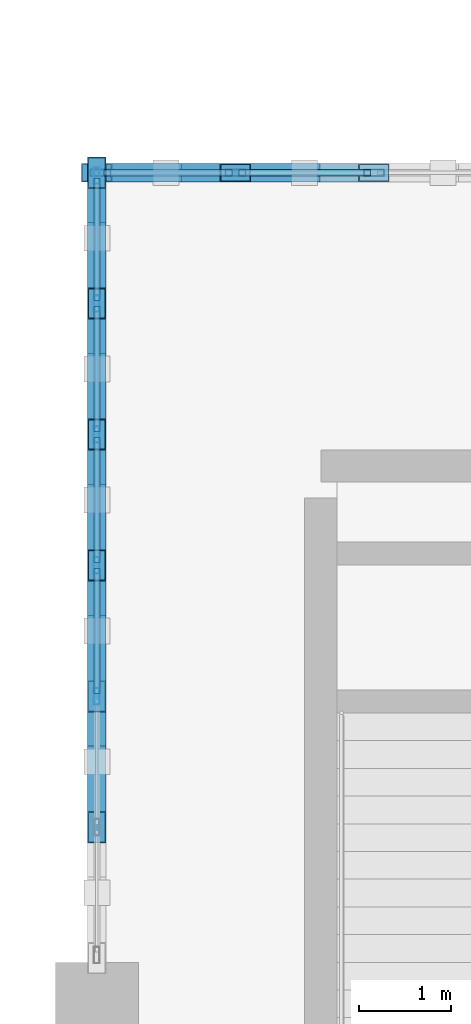
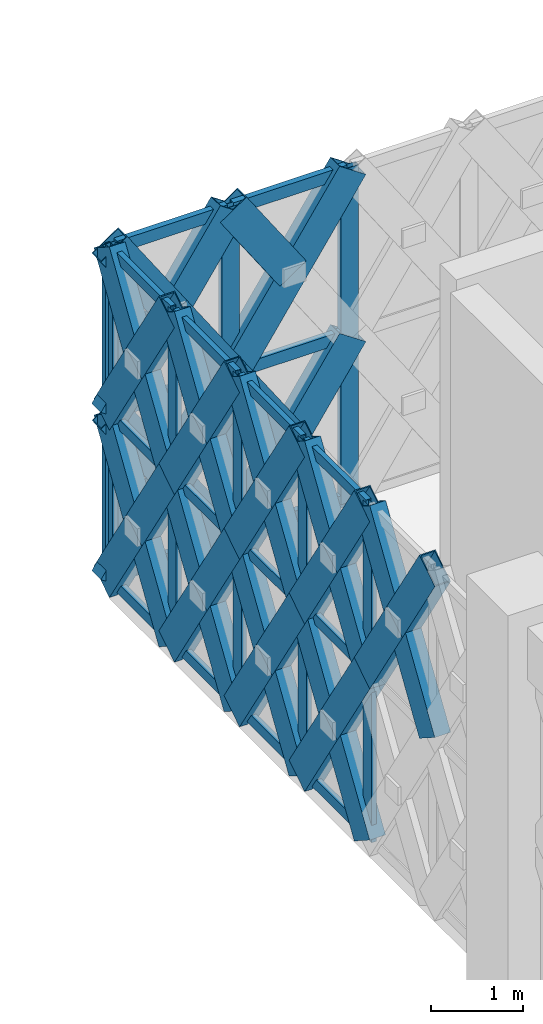
# One storey, part 64 of 155: 63 members, 2 elements without a shape of their own.
"""IFC4 building model written with IfcOpenShell, lengths in metres."""

from ifc_helpers import new_model, si_unit, direction, frame, origin, origin_2d, place, context, subcontext, project, spatial, hollow_rectangle, extrude, material, material_profile, profile_set, type_object, element, aggregate, save


model = new_model("IFC4")

# Units and contexts
model_context = context("Model", 3, precision=1e-05, world=origin(), true_north=direction((0.0, 1.0)))
body_context = subcontext(model_context, "Body", "Model", "MODEL_VIEW")
ifc_project = project(units=[si_unit("LENGTHUNIT", "METRE"), si_unit("AREAUNIT", "SQUARE_METRE"), si_unit("VOLUMEUNIT", "CUBIC_METRE"), si_unit("PLANEANGLEUNIT", "RADIAN"), si_unit("MASSUNIT", "GRAM", prefix="KILO")], contexts=[model_context])

# Site, building, storey
site_placement = place(None, origin())
site = spatial("IfcSite", under=ifc_project, at=site_placement, CompositionType="ELEMENT")
building_placement = place(site_placement, origin())
building = spatial("IfcBuilding", under=site, at=building_placement, Name="Haizhuo Lancet Aquarium", CompositionType="ELEMENT")
storey_placement = place(building_placement, frame((0.0, 0.0, 10.800048828125)))
storey = spatial("IfcBuildingStorey", under=building, at=storey_placement, Name="L02", CompositionType="ELEMENT", Elevation=10.800048828125)

# Curtain wall, members
ifc_material_1 = material(Name="Aluminium 6063-T6", Category="aluminium")
curtain_wall_type_1 = type_object("IfcCurtainWallType", Name="CWD-8510x4440", PredefinedType="NOTDEFINED", material=ifc_material_1)
curtain_wall_1_placement = place(storey_placement, origin())
curtain_wall_1 = element("IfcCurtainWall", 1, at=curtain_wall_1_placement, inside=storey, type_object=curtain_wall_type_1, Name="L02 curtain wall CW-V5-L02-145", PredefinedType="NOTDEFINED")
ifc_material_profile_1 = material_profile(ifc_material_1, hollow_rectangle(XDim=0.06494140625, YDim=0.179931640625, WallThickness=0.00390625, at=origin_2d()), Name="ALU-M 65x180x4")
ifc_profile_set_1 = profile_set([ifc_material_profile_1], Name="Aluminium 6063-T6")
member_type_1 = type_object("IfcMemberType", Name="CW-MUL-1", PredefinedType="MULLION", material=ifc_profile_set_1)
member_1_placement = place(storey_placement, frame((-27.0, 48.330078125, 0.0), z_axis=(0.0, 0.0, 1.0), x_axis=(-1.0, 0.0, 0.0)))
member_1 = element("IfcMember", 2, at=member_1_placement, type_object=member_type_1, Name="CWD-85x44 mullion 3", PredefinedType="MULLION", context=body_context, shape_type="SweptSolid", body=[
    extrude(hollow_rectangle(XDim=0.06494140625, YDim=0.179931640625, WallThickness=0.00390625, at=origin_2d()), origin(), (0.0, 0.0, 1.0), 4.445068359375),
])
member_2_placement = place(storey_placement, frame((-27.0, 49.748046875, 0.0), z_axis=(0.0, 0.0, 1.0), x_axis=(-1.0, 0.0, 0.0)))
member_2 = element("IfcMember", 3, at=member_2_placement, type_object=member_type_1, Name="CWD-85x44 mullion 4", PredefinedType="MULLION", context=body_context, shape_type="SweptSolid", body=[
    extrude(hollow_rectangle(XDim=0.06494140625, YDim=0.179931640625, WallThickness=0.00390625, at=origin_2d()), origin(), (0.0, 0.0, 1.0), 4.445068359375),
])
member_3_placement = place(storey_placement, frame((-27.0, 51.1650390625, 0.0), z_axis=(0.0, 0.0, 1.0), x_axis=(-1.0, 0.0, 0.0)))
member_3 = element("IfcMember", 4, at=member_3_placement, type_object=member_type_1, Name="CWD-85x44 mullion 5", PredefinedType="MULLION", context=body_context, shape_type="SweptSolid", body=[
    extrude(hollow_rectangle(XDim=0.06494140625, YDim=0.179931640625, WallThickness=0.00390625, at=origin_2d()), origin(), (0.0, 0.0, 1.0), 4.445068359375),
])
member_4_placement = place(storey_placement, frame((-27.0, 52.58203125, 0.0), z_axis=(0.0, 0.0, 1.0), x_axis=(-1.0, 0.0, 0.0)))
member_4 = element("IfcMember", 5, at=member_4_placement, type_object=member_type_1, Name="CWD-85x44 mullion 6", PredefinedType="MULLION", context=body_context, shape_type="SweptSolid", body=[
    extrude(hollow_rectangle(XDim=0.06494140625, YDim=0.179931640625, WallThickness=0.00390625, at=origin_2d()), origin(), (0.0, 0.0, 1.0), 4.445068359375),
])
member_5_placement = place(storey_placement, frame((-27.0, 53.968017578125, 0.0), z_axis=(0.0, 0.0, 1.0), x_axis=(-1.0, 0.0, 0.0)))
member_5 = element("IfcMember", 6, at=member_5_placement, type_object=member_type_1, Name="CWD-85x44 mullion 7", PredefinedType="MULLION", context=body_context, shape_type="SweptSolid", body=[
    extrude(hollow_rectangle(XDim=0.06494140625, YDim=0.179931640625, WallThickness=0.00390625, at=origin_2d()), origin(), (0.0, 0.0, 1.0), 4.445068359375),
])

curtain_wall_type_2 = type_object("IfcCurtainWallType", Name="CWD-9000x4440", PredefinedType="NOTDEFINED", material=ifc_material_1)
curtain_wall_2_placement = place(storey_placement, origin())
curtain_wall_2 = element("IfcCurtainWall", 7, at=curtain_wall_2_placement, inside=storey, type_object=curtain_wall_type_2, Name="L02 curtain wall CW-V5-L02-146", PredefinedType="NOTDEFINED")
ifc_material_profile_2 = material_profile(ifc_material_1, hollow_rectangle(XDim=0.074951171875, YDim=0.219970703125, WallThickness=0.0048828125, at=origin_2d()), Name="ALU-M 75x220x5")
ifc_profile_set_2 = profile_set([ifc_material_profile_2], Name="Aluminium 6063-T6")
member_type_2 = type_object("IfcMemberType", Name="CW-MUL-2", PredefinedType="MULLION", material=ifc_profile_set_2)
member_6_placement = place(storey_placement, frame((-26.9619140625, 54.0, 0.0), z_axis=(0.0, 0.0, 1.0), x_axis=(0.0, 1.0, 0.0)))
member_6 = element("IfcMember", 8, at=member_6_placement, type_object=member_type_2, Name="CWD-90x44 mullion 1", PredefinedType="MULLION", context=body_context, shape_type="SweptSolid", body=[
    extrude(hollow_rectangle(XDim=0.074951171875, YDim=0.219970703125, WallThickness=0.0048828125, at=origin_2d()), origin(), (0.0, 0.0, 1.0), 4.445068359375),
])
member_7_placement = place(storey_placement, frame((-25.5, 54.0, 0.0), z_axis=(0.0, 0.0, 1.0), x_axis=(0.0, 1.0, 0.0)))
member_7 = element("IfcMember", 9, at=member_7_placement, type_object=member_type_2, Name="CWD-90x44 mullion 2", PredefinedType="MULLION", context=body_context, shape_type="SweptSolid", body=[
    extrude(hollow_rectangle(XDim=0.074951171875, YDim=0.219970703125, WallThickness=0.0048828125, at=origin_2d()), origin(), (0.0, 0.0, 1.0), 4.445068359375),
])
member_8_placement = place(storey_placement, frame((-24.0, 54.0, 0.0), z_axis=(0.0, 0.0, 1.0), x_axis=(0.0, 1.0, 0.0)))
member_8 = element("IfcMember", 10, at=member_8_placement, type_object=member_type_2, Name="CWD-90x44 mullion 3", PredefinedType="MULLION", context=body_context, shape_type="SweptSolid", body=[
    extrude(hollow_rectangle(XDim=0.074951171875, YDim=0.219970703125, WallThickness=0.0048828125, at=origin_2d()), origin(), (0.0, 0.0, 1.0), 4.445068359375),
])

# Member
ifc_material_profile_3 = material_profile(ifc_material_1, hollow_rectangle(XDim=0.06494140625, YDim=0.139892578125, WallThickness=0.00390625, at=origin_2d()), Name="ALU-T 65x140x4")
ifc_profile_set_3 = profile_set([ifc_material_profile_3], Name="Aluminium 6063-T6")
member_type_3 = type_object("IfcMemberType", Name="CW-TRN-1", PredefinedType="NOTDEFINED", material=ifc_profile_set_3)
member_9_placement = place(storey_placement, frame((-27.0, 48.362060546875, 0.032958984375), z_axis=(0.0, 1.0, 0.0), x_axis=(-1.0, 0.0, 0.0)))
member_9 = element("IfcMember", 11, at=member_9_placement, type_object=member_type_3, Name="CWD-85x44 transom 3.1", ObjectType="TRANSOM", PredefinedType="USERDEFINED", context=body_context, shape_type="SweptSolid", body=[
    extrude(hollow_rectangle(XDim=0.06494140625, YDim=0.139892578125, WallThickness=0.00390625, at=origin_2d()), origin(), (0.0, 0.0, 1.0), 1.35302734375),
])

member_10_placement = place(storey_placement, frame((-27.0, 48.362060546875, 2.222900390625), z_axis=(0.0, 1.0, 0.0), x_axis=(-1.0, 0.0, 0.0)))
member_10 = element("IfcMember", 12, at=member_10_placement, type_object=member_type_3, Name="CWD-85x44 transom 3.2", ObjectType="TRANSOM", PredefinedType="USERDEFINED", context=body_context, shape_type="SweptSolid", body=[
    extrude(hollow_rectangle(XDim=0.06494140625, YDim=0.139892578125, WallThickness=0.00390625, at=origin_2d()), origin(), (0.0, 0.0, 1.0), 1.35302734375),
])

member_11_placement = place(storey_placement, frame((-27.0, 48.362060546875, 4.411865234375), z_axis=(0.0, 1.0, 0.0), x_axis=(-1.0, 0.0, 0.0)))
member_11 = element("IfcMember", 13, at=member_11_placement, type_object=member_type_3, Name="CWD-85x44 transom 3.3", ObjectType="TRANSOM", PredefinedType="USERDEFINED", context=body_context, shape_type="SweptSolid", body=[
    extrude(hollow_rectangle(XDim=0.06494140625, YDim=0.139892578125, WallThickness=0.00390625, at=origin_2d()), origin(), (0.0, 0.0, 1.0), 1.35302734375),
])

member_12_placement = place(storey_placement, frame((-27.0, 49.780029296875, 0.032958984375), z_axis=(0.0, 1.0, 0.0), x_axis=(-1.0, 0.0, 0.0)))
member_12 = element("IfcMember", 14, at=member_12_placement, type_object=member_type_3, Name="CWD-85x44 transom 4.1", ObjectType="TRANSOM", PredefinedType="USERDEFINED", context=body_context, shape_type="SweptSolid", body=[
    extrude(hollow_rectangle(XDim=0.06494140625, YDim=0.139892578125, WallThickness=0.00390625, at=origin_2d()), origin(), (0.0, 0.0, 1.0), 1.35302734375),
])

member_13_placement = place(storey_placement, frame((-27.0, 49.780029296875, 2.222900390625), z_axis=(0.0, 1.0, 0.0), x_axis=(-1.0, 0.0, 0.0)))
member_13 = element("IfcMember", 15, at=member_13_placement, type_object=member_type_3, Name="CWD-85x44 transom 4.2", ObjectType="TRANSOM", PredefinedType="USERDEFINED", context=body_context, shape_type="SweptSolid", body=[
    extrude(hollow_rectangle(XDim=0.06494140625, YDim=0.139892578125, WallThickness=0.00390625, at=origin_2d()), origin(), (0.0, 0.0, 1.0), 1.35302734375),
])

member_14_placement = place(storey_placement, frame((-27.0, 49.780029296875, 4.411865234375), z_axis=(0.0, 1.0, 0.0), x_axis=(-1.0, 0.0, 0.0)))
member_14 = element("IfcMember", 16, at=member_14_placement, type_object=member_type_3, Name="CWD-85x44 transom 4.3", ObjectType="TRANSOM", PredefinedType="USERDEFINED", context=body_context, shape_type="SweptSolid", body=[
    extrude(hollow_rectangle(XDim=0.06494140625, YDim=0.139892578125, WallThickness=0.00390625, at=origin_2d()), origin(), (0.0, 0.0, 1.0), 1.35302734375),
])

member_15_placement = place(storey_placement, frame((-27.0, 51.197021484375, 0.032958984375), z_axis=(0.0, 1.0, 0.0), x_axis=(-1.0, 0.0, 0.0)))
member_15 = element("IfcMember", 17, at=member_15_placement, type_object=member_type_3, Name="CWD-85x44 transom 5.1", ObjectType="TRANSOM", PredefinedType="USERDEFINED", context=body_context, shape_type="SweptSolid", body=[
    extrude(hollow_rectangle(XDim=0.06494140625, YDim=0.139892578125, WallThickness=0.00390625, at=origin_2d()), origin(), (0.0, 0.0, 1.0), 1.35302734375),
])

member_16_placement = place(storey_placement, frame((-27.0, 51.197021484375, 2.222900390625), z_axis=(0.0, 1.0, 0.0), x_axis=(-1.0, 0.0, 0.0)))
member_16 = element("IfcMember", 18, at=member_16_placement, type_object=member_type_3, Name="CWD-85x44 transom 5.2", ObjectType="TRANSOM", PredefinedType="USERDEFINED", context=body_context, shape_type="SweptSolid", body=[
    extrude(hollow_rectangle(XDim=0.06494140625, YDim=0.139892578125, WallThickness=0.00390625, at=origin_2d()), origin(), (0.0, 0.0, 1.0), 1.35302734375),
])

member_17_placement = place(storey_placement, frame((-27.0, 51.197021484375, 4.411865234375), z_axis=(0.0, 1.0, 0.0), x_axis=(-1.0, 0.0, 0.0)))
member_17 = element("IfcMember", 19, at=member_17_placement, type_object=member_type_3, Name="CWD-85x44 transom 5.3", ObjectType="TRANSOM", PredefinedType="USERDEFINED", context=body_context, shape_type="SweptSolid", body=[
    extrude(hollow_rectangle(XDim=0.06494140625, YDim=0.139892578125, WallThickness=0.00390625, at=origin_2d()), origin(), (0.0, 0.0, 1.0), 1.35302734375),
])

member_18_placement = place(storey_placement, frame((-27.0, 52.614990234375, 0.032958984375), z_axis=(0.0, 1.0, 0.0), x_axis=(-1.0, 0.0, 0.0)))
member_18 = element("IfcMember", 20, at=member_18_placement, type_object=member_type_3, Name="CWD-85x44 transom 6.1", ObjectType="TRANSOM", PredefinedType="USERDEFINED", context=body_context, shape_type="SweptSolid", body=[
    extrude(hollow_rectangle(XDim=0.06494140625, YDim=0.139892578125, WallThickness=0.00390625, at=origin_2d()), origin(), (0.0, 0.0, 1.0), 1.320068359375),
])

member_19_placement = place(storey_placement, frame((-27.0, 52.614990234375, 2.222900390625), z_axis=(0.0, 1.0, 0.0), x_axis=(-1.0, 0.0, 0.0)))
member_19 = element("IfcMember", 21, at=member_19_placement, type_object=member_type_3, Name="CWD-85x44 transom 6.2", ObjectType="TRANSOM", PredefinedType="USERDEFINED", context=body_context, shape_type="SweptSolid", body=[
    extrude(hollow_rectangle(XDim=0.06494140625, YDim=0.139892578125, WallThickness=0.00390625, at=origin_2d()), origin(), (0.0, 0.0, 1.0), 1.320068359375),
])

member_20_placement = place(storey_placement, frame((-27.0, 52.614990234375, 4.411865234375), z_axis=(0.0, 1.0, 0.0), x_axis=(-1.0, 0.0, 0.0)))
member_20 = element("IfcMember", 22, at=member_20_placement, type_object=member_type_3, Name="CWD-85x44 transom 6.3", ObjectType="TRANSOM", PredefinedType="USERDEFINED", context=body_context, shape_type="SweptSolid", body=[
    extrude(hollow_rectangle(XDim=0.06494140625, YDim=0.139892578125, WallThickness=0.00390625, at=origin_2d()), origin(), (0.0, 0.0, 1.0), 1.320068359375),
])

aggregate(curtain_wall_1, [member_1, member_2, member_3, member_4, member_5, member_9, member_10, member_11, member_12, member_13, member_14, member_15, member_16, member_17, member_18, member_19, member_20])

ifc_material_profile_4 = material_profile(ifc_material_1, hollow_rectangle(XDim=0.074951171875, YDim=0.159912109375, WallThickness=0.00390625, at=origin_2d()), Name="ALU-T 75x160x4")
ifc_profile_set_4 = profile_set([ifc_material_profile_4], Name="Aluminium 6063-T6")
member_type_4 = type_object("IfcMemberType", Name="CW-TRN-2", PredefinedType="NOTDEFINED", material=ifc_profile_set_4)
member_21_placement = place(storey_placement, frame((-26.925048828125, 54.0, 0.037841796875), z_axis=(1.0, 0.0, 0.0), x_axis=(0.0, 1.0, 0.0)))
member_21 = element("IfcMember", 23, at=member_21_placement, type_object=member_type_4, Name="CWD-90x44 transom 1.1", ObjectType="TRANSOM", PredefinedType="USERDEFINED", context=body_context, shape_type="SweptSolid", body=[
    extrude(hollow_rectangle(XDim=0.074951171875, YDim=0.159912109375, WallThickness=0.00390625, at=origin_2d()), origin(), (0.0, 0.0, 1.0), 1.386962890625),
])

member_22_placement = place(storey_placement, frame((-26.925048828125, 54.0, 2.222900390625), z_axis=(1.0, 0.0, 0.0), x_axis=(0.0, 1.0, 0.0)))
member_22 = element("IfcMember", 24, at=member_22_placement, type_object=member_type_4, Name="CWD-90x44 transom 1.2", ObjectType="TRANSOM", PredefinedType="USERDEFINED", context=body_context, shape_type="SweptSolid", body=[
    extrude(hollow_rectangle(XDim=0.074951171875, YDim=0.159912109375, WallThickness=0.00390625, at=origin_2d()), origin(), (0.0, 0.0, 1.0), 1.386962890625),
])

member_23_placement = place(storey_placement, frame((-26.925048828125, 54.0, 4.406982421875), z_axis=(1.0, 0.0, 0.0), x_axis=(0.0, 1.0, 0.0)))
member_23 = element("IfcMember", 25, at=member_23_placement, type_object=member_type_4, Name="CWD-90x44 transom 1.3", ObjectType="TRANSOM", PredefinedType="USERDEFINED", context=body_context, shape_type="SweptSolid", body=[
    extrude(hollow_rectangle(XDim=0.074951171875, YDim=0.159912109375, WallThickness=0.00390625, at=origin_2d()), origin(), (0.0, 0.0, 1.0), 1.386962890625),
])

member_24_placement = place(storey_placement, frame((-25.4619140625, 54.0, 0.037841796875), z_axis=(1.0, 0.0, 0.0), x_axis=(0.0, 1.0, 0.0)))
member_24 = element("IfcMember", 26, at=member_24_placement, type_object=member_type_4, Name="CWD-90x44 transom 2.1", ObjectType="TRANSOM", PredefinedType="USERDEFINED", context=body_context, shape_type="SweptSolid", body=[
    extrude(hollow_rectangle(XDim=0.074951171875, YDim=0.159912109375, WallThickness=0.00390625, at=origin_2d()), origin(), (0.0, 0.0, 1.0), 1.423828125),
])

member_25_placement = place(storey_placement, frame((-25.4619140625, 54.0, 2.222900390625), z_axis=(1.0, 0.0, 0.0), x_axis=(0.0, 1.0, 0.0)))
member_25 = element("IfcMember", 27, at=member_25_placement, type_object=member_type_4, Name="CWD-90x44 transom 2.2", ObjectType="TRANSOM", PredefinedType="USERDEFINED", context=body_context, shape_type="SweptSolid", body=[
    extrude(hollow_rectangle(XDim=0.074951171875, YDim=0.159912109375, WallThickness=0.00390625, at=origin_2d()), origin(), (0.0, 0.0, 1.0), 1.423828125),
])

member_26_placement = place(storey_placement, frame((-25.4619140625, 54.0, 4.406982421875), z_axis=(1.0, 0.0, 0.0), x_axis=(0.0, 1.0, 0.0)))
member_26 = element("IfcMember", 28, at=member_26_placement, type_object=member_type_4, Name="CWD-90x44 transom 2.3", ObjectType="TRANSOM", PredefinedType="USERDEFINED", context=body_context, shape_type="SweptSolid", body=[
    extrude(hollow_rectangle(XDim=0.074951171875, YDim=0.159912109375, WallThickness=0.00390625, at=origin_2d()), origin(), (0.0, 0.0, 1.0), 1.423828125),
])

aggregate(curtain_wall_2, [member_6, member_7, member_8, member_21, member_22, member_23, member_24, member_25, member_26])

# Members
ifc_material_2 = material(Name="Steel S355", Category="steel")
ifc_material_profile_5 = material_profile(ifc_material_2, hollow_rectangle(XDim=0.199951171875, YDim=0.39990234375, WallThickness=0.011962890625, at=origin_2d()), Name="RHS 200x400x12")
ifc_profile_set_5 = profile_set([ifc_material_profile_5], Name="Steel S355")
member_type_5 = type_object("IfcMemberType", Name="MEM-LB-RHS200x400", PredefinedType="BRACE", material=ifc_profile_set_5)
member_27_placement = place(storey_placement, frame((-27.0, 46.912109375, 2.222900390625), z_axis=(0.0, 0.537917837276, 0.842997271846), x_axis=(-1.0, 0.0, 0.0)))
element("IfcMember", 29, at=member_27_placement, inside=storey, type_object=member_type_5, Name="Gothic lancet continuous diagonal brace CW-V5-L02-145 4A", PredefinedType="BRACE", context=body_context, shape_type="SweptSolid", body=[
    extrude(hollow_rectangle(XDim=0.199951171875, YDim=0.39990234375, WallThickness=0.011962890625, at=origin_2d()), origin(), (0.0, 0.0, 1.0), 2.635986328125),
])
for number, where, z_axis, x_axis, name in (
    (30, (-27.0, 48.330078125, 2.222900390625), (0.0, -0.537917837276, 0.842997271846), (1.0, 0.0, 0.0), "Gothic lancet split diagonal brace CW-V5-L02-145 4B1"),
    (31, (-27.0, 47.62109375, 3.333984375), (0.0, -0.537917837276, 0.842997271846), (1.0, 0.0, 0.0), "Gothic lancet split diagonal brace CW-V5-L02-145 4B2"),
):
    element("IfcMember", number, at=place(storey_placement, frame(where, z_axis=z_axis, x_axis=x_axis)), inside=storey, type_object=member_type_5, Name=name, PredefinedType="BRACE", context=body_context, shape_type="SweptSolid", body=[
        extrude(hollow_rectangle(XDim=0.199951171875, YDim=0.39990234375, WallThickness=0.011962890625, at=origin_2d()), origin(), (0.0, 0.0, 1.0), 1.318115234375),
    ])
member_28_placement = place(storey_placement, frame((-27.0, 48.330078125, 0.0), z_axis=(0.0, 0.537791865951, 0.843077641096), x_axis=(-1.0, 0.0, 0.0)))
element("IfcMember", 32, at=member_28_placement, inside=storey, type_object=member_type_5, Name="Gothic lancet continuous diagonal brace CW-V5-L02-145 5A", PredefinedType="BRACE", context=body_context, shape_type="SweptSolid", body=[
    extrude(hollow_rectangle(XDim=0.199951171875, YDim=0.39990234375, WallThickness=0.011962890625, at=origin_2d()), origin(), (0.0, 0.0, 1.0), 2.63671875),
])
member_29_placement = place(storey_placement, frame((-27.0, 49.748046875, 0.0), z_axis=(0.0, -0.537582018159, 0.843211464433), x_axis=(1.0, 0.0, 0.0)))
element("IfcMember", 33, at=member_29_placement, inside=storey, type_object=member_type_5, Name="Gothic lancet split diagonal brace CW-V5-L02-145 5B1", PredefinedType="BRACE", context=body_context, shape_type="SweptSolid", body=[
    extrude(hollow_rectangle(XDim=0.199951171875, YDim=0.39990234375, WallThickness=0.011962890625, at=origin_2d()), origin(), (0.0, 0.0, 1.0), 1.31884765625),
])
member_30_placement = place(storey_placement, frame((-27.0, 49.0390625, 1.112060546875), z_axis=(0.0, -0.538001844272, 0.842943660964), x_axis=(1.0, 0.0, 0.0)))
element("IfcMember", 34, at=member_30_placement, inside=storey, type_object=member_type_5, Name="Gothic lancet split diagonal brace CW-V5-L02-145 5B2", PredefinedType="BRACE", context=body_context, shape_type="SweptSolid", body=[
    extrude(hollow_rectangle(XDim=0.199951171875, YDim=0.39990234375, WallThickness=0.011962890625, at=origin_2d()), origin(), (0.0, 0.0, 1.0), 1.31787109375),
])
member_31_placement = place(storey_placement, frame((-27.0, 48.330078125, 2.222900390625), z_axis=(0.0, 0.537917837276, 0.842997271846), x_axis=(-1.0, 0.0, 0.0)))
element("IfcMember", 35, at=member_31_placement, inside=storey, type_object=member_type_5, Name="Gothic lancet continuous diagonal brace CW-V5-L02-145 6A", PredefinedType="BRACE", context=body_context, shape_type="SweptSolid", body=[
    extrude(hollow_rectangle(XDim=0.199951171875, YDim=0.39990234375, WallThickness=0.011962890625, at=origin_2d()), origin(), (0.0, 0.0, 1.0), 2.635986328125),
])
for number, where, z_axis, x_axis, name in (
    (36, (-27.0, 49.748046875, 2.222900390625), (0.0, -0.537917837276, 0.842997271846), (1.0, 0.0, 0.0), "Gothic lancet split diagonal brace CW-V5-L02-145 6B1"),
    (37, (-27.0, 49.0390625, 3.333984375), (0.0, -0.537917837276, 0.842997271846), (1.0, 0.0, 0.0), "Gothic lancet split diagonal brace CW-V5-L02-145 6B2"),
):
    element("IfcMember", number, at=place(storey_placement, frame(where, z_axis=z_axis, x_axis=x_axis)), inside=storey, type_object=member_type_5, Name=name, PredefinedType="BRACE", context=body_context, shape_type="SweptSolid", body=[
        extrude(hollow_rectangle(XDim=0.199951171875, YDim=0.39990234375, WallThickness=0.011962890625, at=origin_2d()), origin(), (0.0, 0.0, 1.0), 1.318115234375),
    ])
member_32_placement = place(storey_placement, frame((-27.0, 49.748046875, 0.0), z_axis=(0.0, 0.537528528572, 0.843245563861), x_axis=(-1.0, 0.0, 0.0)))
element("IfcMember", 38, at=member_32_placement, inside=storey, type_object=member_type_5, Name="Gothic lancet continuous diagonal brace CW-V5-L02-145 7A", PredefinedType="BRACE", context=body_context, shape_type="SweptSolid", body=[
    extrude(hollow_rectangle(XDim=0.199951171875, YDim=0.39990234375, WallThickness=0.011962890625, at=origin_2d()), origin(), (0.0, 0.0, 1.0), 2.63623046875),
])
member_33_placement = place(storey_placement, frame((-27.0, 51.1650390625, 0.0), z_axis=(0.0, -0.537582018159, 0.843211464433), x_axis=(1.0, 0.0, 0.0)))
element("IfcMember", 39, at=member_33_placement, inside=storey, type_object=member_type_5, Name="Gothic lancet split diagonal brace CW-V5-L02-145 7B1", PredefinedType="BRACE", context=body_context, shape_type="SweptSolid", body=[
    extrude(hollow_rectangle(XDim=0.199951171875, YDim=0.39990234375, WallThickness=0.011962890625, at=origin_2d()), origin(), (0.0, 0.0, 1.0), 1.31884765625),
])
member_34_placement = place(storey_placement, frame((-27.0, 50.4560546875, 1.112060546875), z_axis=(0.0, -0.537474973705, 0.843279700124), x_axis=(1.0, 0.0, 0.0)))
element("IfcMember", 40, at=member_34_placement, inside=storey, type_object=member_type_5, Name="Gothic lancet split diagonal brace CW-V5-L02-145 7B2", PredefinedType="BRACE", context=body_context, shape_type="SweptSolid", body=[
    extrude(hollow_rectangle(XDim=0.199951171875, YDim=0.39990234375, WallThickness=0.011962890625, at=origin_2d()), origin(), (0.0, 0.0, 1.0), 1.3173828125),
])
member_35_placement = place(storey_placement, frame((-27.0, 49.748046875, 2.222900390625), z_axis=(0.0, 0.537654488392, 0.843165257296), x_axis=(-1.0, 0.0, 0.0)))
element("IfcMember", 41, at=member_35_placement, inside=storey, type_object=member_type_5, Name="Gothic lancet continuous diagonal brace CW-V5-L02-145 8A", PredefinedType="BRACE", context=body_context, shape_type="SweptSolid", body=[
    extrude(hollow_rectangle(XDim=0.199951171875, YDim=0.39990234375, WallThickness=0.011962890625, at=origin_2d()), origin(), (0.0, 0.0, 1.0), 2.635498046875),
])
member_36_placement = place(storey_placement, frame((-27.0, 51.1650390625, 2.222900390625), z_axis=(0.0, -0.537917837276, 0.842997271846), x_axis=(1.0, 0.0, 0.0)))
element("IfcMember", 42, at=member_36_placement, inside=storey, type_object=member_type_5, Name="Gothic lancet split diagonal brace CW-V5-L02-145 8B1", PredefinedType="BRACE", context=body_context, shape_type="SweptSolid", body=[
    extrude(hollow_rectangle(XDim=0.199951171875, YDim=0.39990234375, WallThickness=0.011962890625, at=origin_2d()), origin(), (0.0, 0.0, 1.0), 1.318115234375),
])
member_37_placement = place(storey_placement, frame((-27.0, 50.4560546875, 3.333984375), z_axis=(0.0, -0.537390982067, 0.843333227374), x_axis=(1.0, 0.0, 0.0)))
element("IfcMember", 43, at=member_37_placement, inside=storey, type_object=member_type_5, Name="Gothic lancet split diagonal brace CW-V5-L02-145 8B2", PredefinedType="BRACE", context=body_context, shape_type="SweptSolid", body=[
    extrude(hollow_rectangle(XDim=0.199951171875, YDim=0.39990234375, WallThickness=0.011962890625, at=origin_2d()), origin(), (0.0, 0.0, 1.0), 1.3173828125),
])
member_38_placement = place(storey_placement, frame((-27.0, 51.1650390625, 0.0), z_axis=(0.0, 0.537791865951, 0.843077641096), x_axis=(-1.0, 0.0, 0.0)))
element("IfcMember", 44, at=member_38_placement, inside=storey, type_object=member_type_5, Name="Gothic lancet continuous diagonal brace CW-V5-L02-145 9A", PredefinedType="BRACE", context=body_context, shape_type="SweptSolid", body=[
    extrude(hollow_rectangle(XDim=0.199951171875, YDim=0.39990234375, WallThickness=0.011962890625, at=origin_2d()), origin(), (0.0, 0.0, 1.0), 2.63671875),
])
member_39_placement = place(storey_placement, frame((-27.0, 52.5830078125, 0.0), z_axis=(0.0, -0.537582018159, 0.843211464433), x_axis=(1.0, 0.0, 0.0)))
element("IfcMember", 45, at=member_39_placement, inside=storey, type_object=member_type_5, Name="Gothic lancet split diagonal brace CW-V5-L02-145 9B1", PredefinedType="BRACE", context=body_context, shape_type="SweptSolid", body=[
    extrude(hollow_rectangle(XDim=0.199951171875, YDim=0.39990234375, WallThickness=0.011962890625, at=origin_2d()), origin(), (0.0, 0.0, 1.0), 1.31884765625),
])
member_40_placement = place(storey_placement, frame((-27.0, 51.8740234375, 1.112060546875), z_axis=(0.0, -0.538001844272, 0.842943660964), x_axis=(1.0, 0.0, 0.0)))
element("IfcMember", 46, at=member_40_placement, inside=storey, type_object=member_type_5, Name="Gothic lancet split diagonal brace CW-V5-L02-145 9B2", PredefinedType="BRACE", context=body_context, shape_type="SweptSolid", body=[
    extrude(hollow_rectangle(XDim=0.199951171875, YDim=0.39990234375, WallThickness=0.011962890625, at=origin_2d()), origin(), (0.0, 0.0, 1.0), 1.31787109375),
])
member_41_placement = place(storey_placement, frame((-27.0, 51.1650390625, 2.222900390625), z_axis=(0.0, 0.537917837276, 0.842997271846), x_axis=(-1.0, 0.0, 0.0)))
element("IfcMember", 47, at=member_41_placement, inside=storey, type_object=member_type_5, Name="Gothic lancet continuous diagonal brace CW-V5-L02-145 10A", PredefinedType="BRACE", context=body_context, shape_type="SweptSolid", body=[
    extrude(hollow_rectangle(XDim=0.199951171875, YDim=0.39990234375, WallThickness=0.011962890625, at=origin_2d()), origin(), (0.0, 0.0, 1.0), 2.635986328125),
])
for number, where, z_axis, x_axis, name in (
    (48, (-27.0, 52.5830078125, 2.222900390625), (0.0, -0.537917837276, 0.842997271846), (1.0, 0.0, 0.0), "Gothic lancet split diagonal brace CW-V5-L02-145 10B1"),
    (49, (-27.0, 51.8740234375, 3.333984375), (0.0, -0.537917837276, 0.842997271846), (1.0, 0.0, 0.0), "Gothic lancet split diagonal brace CW-V5-L02-145 10B2"),
):
    element("IfcMember", number, at=place(storey_placement, frame(where, z_axis=z_axis, x_axis=x_axis)), inside=storey, type_object=member_type_5, Name=name, PredefinedType="BRACE", context=body_context, shape_type="SweptSolid", body=[
        extrude(hollow_rectangle(XDim=0.199951171875, YDim=0.39990234375, WallThickness=0.011962890625, at=origin_2d()), origin(), (0.0, 0.0, 1.0), 1.318115234375),
    ])
member_42_placement = place(storey_placement, frame((-27.0, 52.5830078125, 0.0), z_axis=(0.0, 0.537528528572, 0.843245563861), x_axis=(-1.0, 0.0, 0.0)))
element("IfcMember", 50, at=member_42_placement, inside=storey, type_object=member_type_5, Name="Gothic lancet continuous diagonal brace CW-V5-L02-145 11A", PredefinedType="BRACE", context=body_context, shape_type="SweptSolid", body=[
    extrude(hollow_rectangle(XDim=0.199951171875, YDim=0.39990234375, WallThickness=0.011962890625, at=origin_2d()), origin(), (0.0, 0.0, 1.0), 2.63623046875),
])
member_43_placement = place(storey_placement, frame((-27.0, 54.0, 0.0), z_axis=(0.0, -0.537582018159, 0.843211464433), x_axis=(1.0, 0.0, 0.0)))
element("IfcMember", 51, at=member_43_placement, inside=storey, type_object=member_type_5, Name="Gothic lancet split diagonal brace CW-V5-L02-145 11B1", PredefinedType="BRACE", context=body_context, shape_type="SweptSolid", body=[
    extrude(hollow_rectangle(XDim=0.199951171875, YDim=0.39990234375, WallThickness=0.011962890625, at=origin_2d()), origin(), (0.0, 0.0, 1.0), 1.31884765625),
])
member_44_placement = place(storey_placement, frame((-27.0, 53.291015625, 1.112060546875), z_axis=(0.0, -0.537474973705, 0.843279700124), x_axis=(1.0, 0.0, 0.0)))
element("IfcMember", 52, at=member_44_placement, inside=storey, type_object=member_type_5, Name="Gothic lancet split diagonal brace CW-V5-L02-145 11B2", PredefinedType="BRACE", context=body_context, shape_type="SweptSolid", body=[
    extrude(hollow_rectangle(XDim=0.199951171875, YDim=0.39990234375, WallThickness=0.011962890625, at=origin_2d()), origin(), (0.0, 0.0, 1.0), 1.3173828125),
])
member_45_placement = place(storey_placement, frame((-27.0, 52.5830078125, 2.222900390625), z_axis=(0.0, 0.537654488392, 0.843165257296), x_axis=(-1.0, 0.0, 0.0)))
element("IfcMember", 53, at=member_45_placement, inside=storey, type_object=member_type_5, Name="Gothic lancet continuous diagonal brace CW-V5-L02-145 12A", PredefinedType="BRACE", context=body_context, shape_type="SweptSolid", body=[
    extrude(hollow_rectangle(XDim=0.199951171875, YDim=0.39990234375, WallThickness=0.011962890625, at=origin_2d()), origin(), (0.0, 0.0, 1.0), 2.635498046875),
])
member_46_placement = place(storey_placement, frame((-27.0, 54.0, 2.222900390625), z_axis=(0.0, -0.537917837276, 0.842997271846), x_axis=(1.0, 0.0, 0.0)))
element("IfcMember", 54, at=member_46_placement, inside=storey, type_object=member_type_5, Name="Gothic lancet split diagonal brace CW-V5-L02-145 12B1", PredefinedType="BRACE", context=body_context, shape_type="SweptSolid", body=[
    extrude(hollow_rectangle(XDim=0.199951171875, YDim=0.39990234375, WallThickness=0.011962890625, at=origin_2d()), origin(), (0.0, 0.0, 1.0), 1.318115234375),
])
member_47_placement = place(storey_placement, frame((-27.0, 53.291015625, 3.333984375), z_axis=(0.0, -0.537390982067, 0.843333227374), x_axis=(1.0, 0.0, 0.0)))
element("IfcMember", 55, at=member_47_placement, inside=storey, type_object=member_type_5, Name="Gothic lancet split diagonal brace CW-V5-L02-145 12B2", PredefinedType="BRACE", context=body_context, shape_type="SweptSolid", body=[
    extrude(hollow_rectangle(XDim=0.199951171875, YDim=0.39990234375, WallThickness=0.011962890625, at=origin_2d()), origin(), (0.0, 0.0, 1.0), 1.3173828125),
])
member_48_placement = place(storey_placement, frame((-27.0, 54.0, 0.0), z_axis=(0.559355578967, 0.0, 0.828927823323), x_axis=(0.0, 1.0, 0.0)))
element("IfcMember", 56, at=member_48_placement, inside=storey, type_object=member_type_5, Name="Gothic lancet continuous diagonal brace CW-V5-L02-146 1A", PredefinedType="BRACE", context=body_context, shape_type="SweptSolid", body=[
    extrude(hollow_rectangle(XDim=0.199951171875, YDim=0.39990234375, WallThickness=0.011962890625, at=origin_2d()), origin(), (0.0, 0.0, 1.0), 2.681640625),
])
member_49_placement = place(storey_placement, frame((-25.5, 54.0, 0.0), z_axis=(-0.559144577779, 0.0, 0.829070166596), x_axis=(0.0, -1.0, 0.0)))
element("IfcMember", 57, at=member_49_placement, inside=storey, type_object=member_type_5, Name="Gothic lancet split diagonal brace CW-V5-L02-146 1B1", PredefinedType="BRACE", context=body_context, shape_type="SweptSolid", body=[
    extrude(hollow_rectangle(XDim=0.199951171875, YDim=0.39990234375, WallThickness=0.011962890625, at=origin_2d()), origin(), (0.0, 0.0, 1.0), 1.34130859375),
])
member_50_placement = place(storey_placement, frame((-26.25, 54.0, 1.112060546875), z_axis=(-0.559566703172, 0.0, 0.828785318826), x_axis=(0.0, -1.0, 0.0)))
element("IfcMember", 58, at=member_50_placement, inside=storey, type_object=member_type_5, Name="Gothic lancet split diagonal brace CW-V5-L02-146 1B2", PredefinedType="BRACE", context=body_context, shape_type="SweptSolid", body=[
    extrude(hollow_rectangle(XDim=0.199951171875, YDim=0.39990234375, WallThickness=0.011962890625, at=origin_2d()), origin(), (0.0, 0.0, 1.0), 1.34033203125),
])
member_51_placement = place(storey_placement, frame((-27.0, 54.0, 2.222900390625), z_axis=(0.559482238724, 0.0, 0.828842339985), x_axis=(0.0, 1.0, 0.0)))
element("IfcMember", 59, at=member_51_placement, inside=storey, type_object=member_type_5, Name="Gothic lancet continuous diagonal brace CW-V5-L02-146 2A", PredefinedType="BRACE", context=body_context, shape_type="SweptSolid", body=[
    extrude(hollow_rectangle(XDim=0.199951171875, YDim=0.39990234375, WallThickness=0.011962890625, at=origin_2d()), origin(), (0.0, 0.0, 1.0), 2.68115234375),
])
for number, where, z_axis, x_axis, name in (
    (60, (-25.5, 54.0, 2.222900390625), (-0.559482238724, 0.0, 0.828842339985), (0.0, -1.0, 0.0), "Gothic lancet split diagonal brace CW-V5-L02-146 2B1"),
    (61, (-26.25, 54.0, 3.333984375), (-0.559482238724, 0.0, 0.828842339985), (0.0, -1.0, 0.0), "Gothic lancet split diagonal brace CW-V5-L02-146 2B2"),
):
    element("IfcMember", number, at=place(storey_placement, frame(where, z_axis=z_axis, x_axis=x_axis)), inside=storey, type_object=member_type_5, Name=name, PredefinedType="BRACE", context=body_context, shape_type="SweptSolid", body=[
        extrude(hollow_rectangle(XDim=0.199951171875, YDim=0.39990234375, WallThickness=0.011962890625, at=origin_2d()), origin(), (0.0, 0.0, 1.0), 1.340576171875),
    ])
member_52_placement = place(storey_placement, frame((-25.5, 54.0, 0.0), z_axis=(0.559355578967, 0.0, 0.828927823323), x_axis=(0.0, 1.0, 0.0)))
element("IfcMember", 62, at=member_52_placement, inside=storey, type_object=member_type_5, Name="Gothic lancet continuous diagonal brace CW-V5-L02-146 3A", PredefinedType="BRACE", context=body_context, shape_type="SweptSolid", body=[
    extrude(hollow_rectangle(XDim=0.199951171875, YDim=0.39990234375, WallThickness=0.011962890625, at=origin_2d()), origin(), (0.0, 0.0, 1.0), 2.681640625),
])
member_53_placement = place(storey_placement, frame((-24.75, 54.0, 1.112060546875), z_axis=(-0.559566703172, 0.0, 0.828785318826), x_axis=(0.0, -1.0, 0.0)))
element("IfcMember", 63, at=member_53_placement, inside=storey, type_object=member_type_5, Name="Gothic lancet split diagonal brace CW-V5-L02-146 3B2", PredefinedType="BRACE", context=body_context, shape_type="SweptSolid", body=[
    extrude(hollow_rectangle(XDim=0.199951171875, YDim=0.39990234375, WallThickness=0.011962890625, at=origin_2d()), origin(), (0.0, 0.0, 1.0), 1.34033203125),
])
member_54_placement = place(storey_placement, frame((-25.5, 54.0, 2.222900390625), z_axis=(0.559482238724, 0.0, 0.828842339985), x_axis=(0.0, 1.0, 0.0)))
element("IfcMember", 64, at=member_54_placement, inside=storey, type_object=member_type_5, Name="Gothic lancet continuous diagonal brace CW-V5-L02-146 4A", PredefinedType="BRACE", context=body_context, shape_type="SweptSolid", body=[
    extrude(hollow_rectangle(XDim=0.199951171875, YDim=0.39990234375, WallThickness=0.011962890625, at=origin_2d()), origin(), (0.0, 0.0, 1.0), 2.68115234375),
])
member_55_placement = place(storey_placement, frame((-24.75, 54.0, 3.333984375), z_axis=(-0.559482238724, 0.0, 0.828842339985), x_axis=(0.0, -1.0, 0.0)))
element("IfcMember", 65, at=member_55_placement, inside=storey, type_object=member_type_5, Name="Gothic lancet split diagonal brace CW-V5-L02-146 4B2", PredefinedType="BRACE", context=body_context, shape_type="SweptSolid", body=[
    extrude(hollow_rectangle(XDim=0.199951171875, YDim=0.39990234375, WallThickness=0.011962890625, at=origin_2d()), origin(), (0.0, 0.0, 1.0), 1.340576171875),
])

save(model, "model.ifc")
